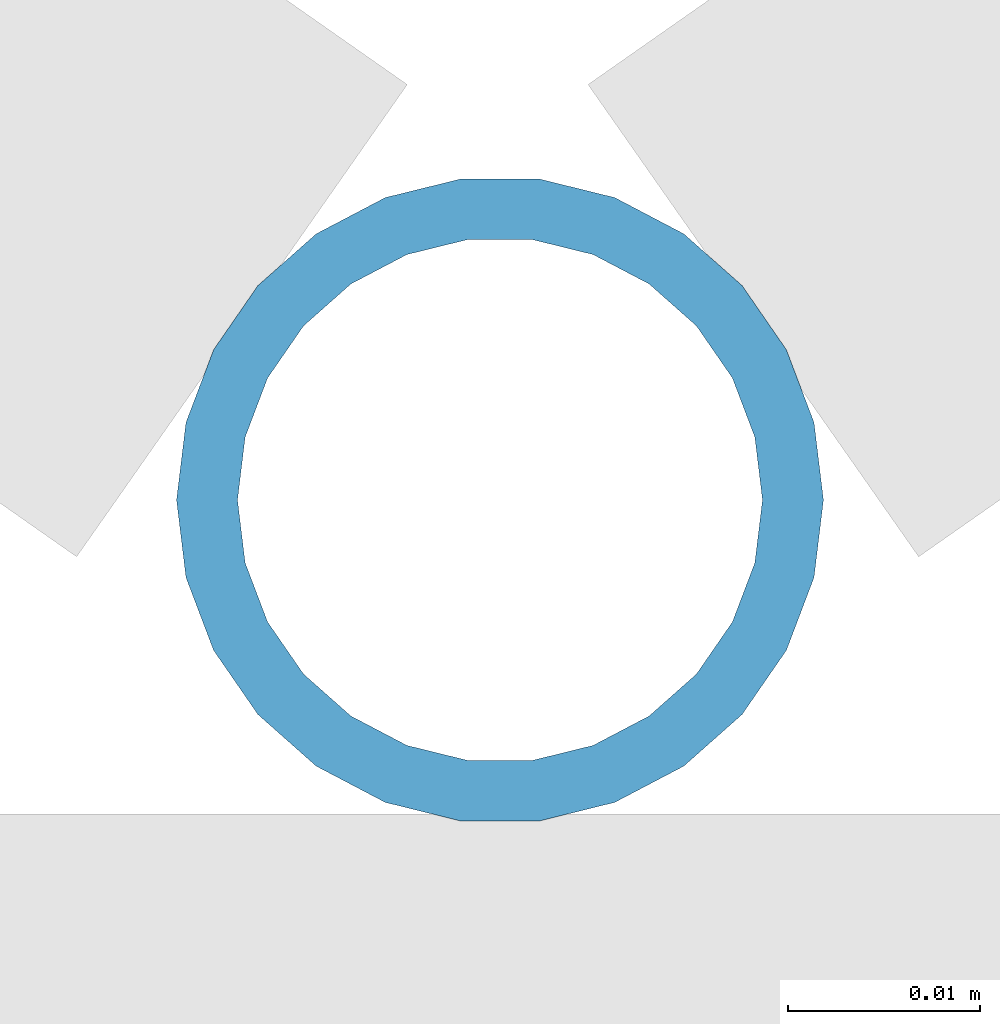
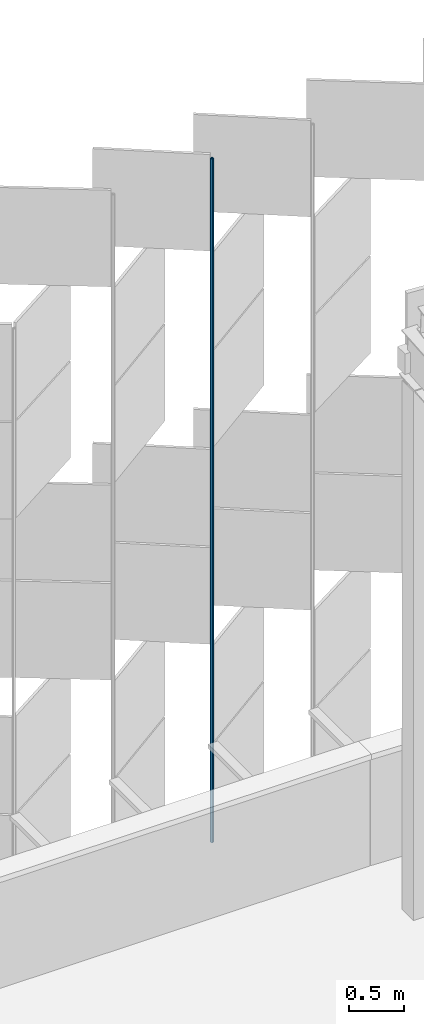
# One storey, part 386 of 483: 1 discrete accessory.
"""IFC4 building model written with IfcOpenShell, lengths in metres."""

from ifc_helpers import new_model, si_unit, direction, frame, origin, origin_2d, place, context, subcontext, project, spatial, hollow_circle, extrude, material, material_profile, profile_set, type_object, element, save


model = new_model("IFC4")

# Units and contexts
model_context = context("Model", 3, precision=1e-05, world=origin(), true_north=direction((0.0, 1.0)))
body_context = subcontext(model_context, "Body", "Model", "MODEL_VIEW")
ifc_project = project(units=[si_unit("LENGTHUNIT", "METRE"), si_unit("AREAUNIT", "SQUARE_METRE"), si_unit("VOLUMEUNIT", "CUBIC_METRE"), si_unit("PLANEANGLEUNIT", "RADIAN"), si_unit("MASSUNIT", "GRAM", prefix="KILO")], contexts=[model_context])

# Site, building, storey
site_placement = place(None, origin())
site = spatial("IfcSite", under=ifc_project, at=site_placement, CompositionType="ELEMENT")
building_placement = place(site_placement, origin())
building = spatial("IfcBuilding", under=site, at=building_placement, Name="Parallax Yard Mobility Hub", CompositionType="ELEMENT")
storey_placement = place(building_placement, frame((0.0, 0.0, 13.199951171875)))
storey = spatial("IfcBuildingStorey", under=building, at=storey_placement, Name="L04", CompositionType="ELEMENT", Elevation=13.199951171875)

# Discrete accessory
ifc_material = material(Name="Steel ASTM A500 Gr C, hot-dip galvanised", Category="steel")
ifc_material_profile = material_profile(ifc_material, hollow_circle(Radius=0.016845703125, WallThickness=0.003173828125, at=origin_2d()), Name="CHS 33.7x3.2")
ifc_profile_set = profile_set([ifc_material_profile], Name="Steel ASTM A500 Gr C, hot-dip galvanised")
discrete_accessory_type = type_object("IfcDiscreteAccessoryType", Name="Hinge post CHS 33.7x3.2", PredefinedType="BRACKET", material=ifc_profile_set)
discrete_accessory_placement = place(storey_placement, frame((171.430419921875, 143.311767578125, 0.0), z_axis=(0.0, 0.0, 1.0), x_axis=(1.0, 0.0, 0.0)))
element("IfcDiscreteAccessory", 1, at=discrete_accessory_placement, inside=storey, type_object=discrete_accessory_type, Name="Hinge post bay 51.2 level L04", PredefinedType="BRACKET", context=body_context, shape_type="SweptSolid", body=[
    extrude(hollow_circle(Radius=0.016845703125, WallThickness=0.003173828125, at=origin_2d()), origin(), (0.0, 0.0, 1.0), 7.650146484375),
])

save(model, "model.ifc")
